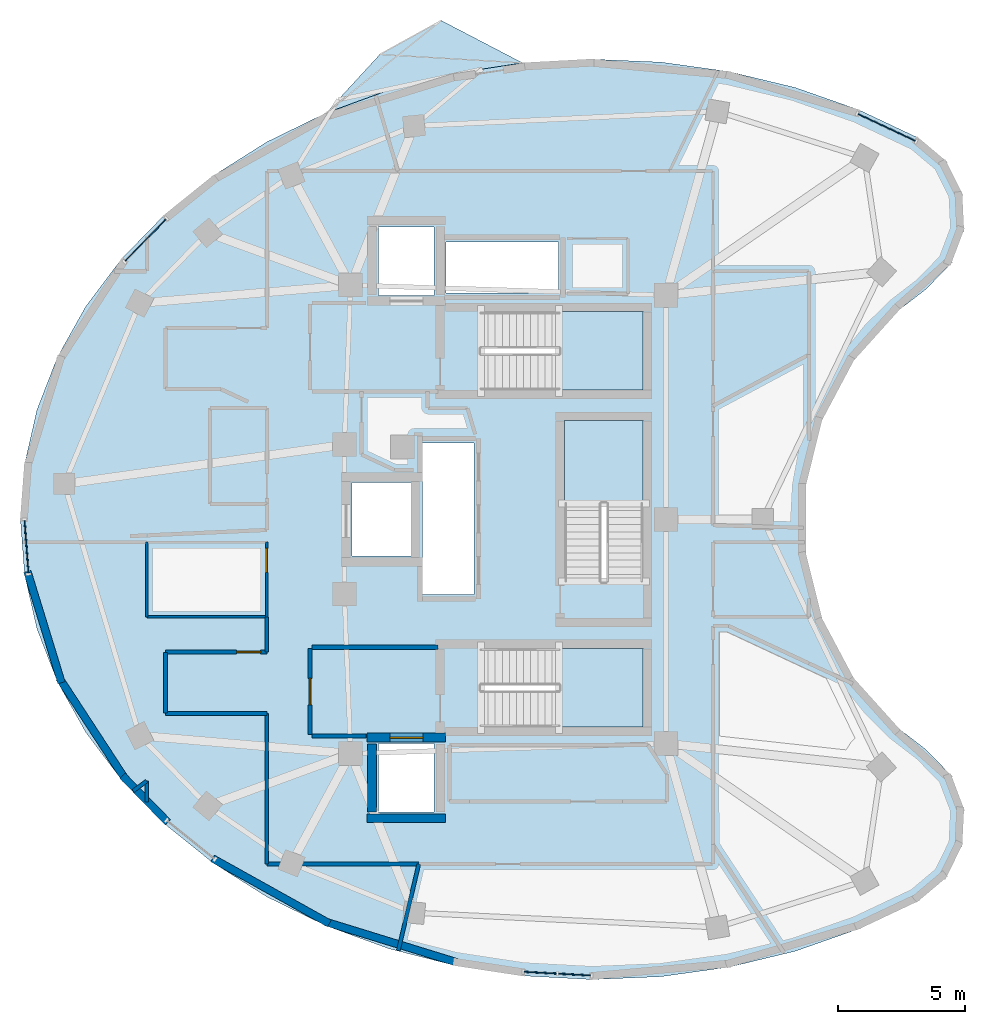
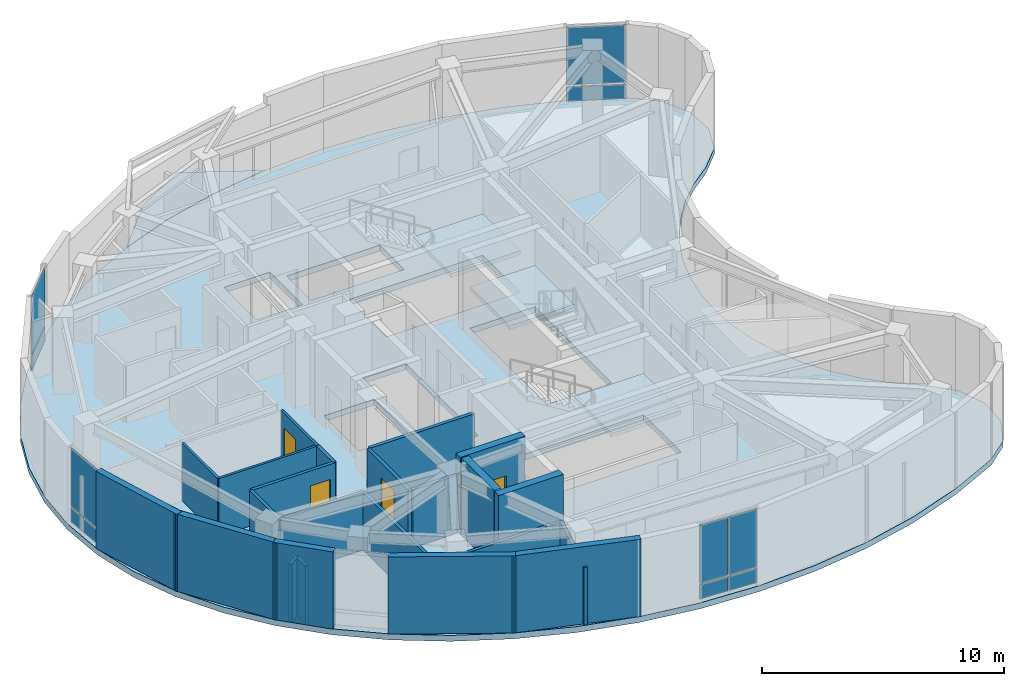
# One storey, part 3 of 8: 23 walls, 10 plates, 5 slabs, 4 doors, 4 openings, 7 elements without a shape of their own.
"""IFC4 building model written with IfcOpenShell, lengths in metres."""

from ifc_helpers import new_model, si_unit, direction, frame, frame_2d, origin, origin_2d, place, context, subcontext, project, spatial, polyline, rectangle, outline, extrude, material, layer, layer_set, type_object, element, fill, aggregate, save


model = new_model("IFC4")

# Units and contexts
model_context = context("Model", 3, precision=1e-05, world=origin(), true_north=direction((0.0, 1.0)))
body_context = subcontext(model_context, "Body", "Model", "MODEL_VIEW")
ifc_project = project(units=[si_unit("LENGTHUNIT", "METRE"), si_unit("AREAUNIT", "SQUARE_METRE"), si_unit("VOLUMEUNIT", "CUBIC_METRE"), si_unit("PLANEANGLEUNIT", "RADIAN"), si_unit("MASSUNIT", "GRAM", prefix="KILO")], contexts=[model_context])

# Site, building, storey
site_placement = place(None, origin())
site = spatial("IfcSite", under=ifc_project, at=site_placement, CompositionType="ELEMENT")
building_placement = place(site_placement, origin())
building = spatial("IfcBuilding", under=site, at=building_placement, Name="Korentha Bioscience Tower", CompositionType="ELEMENT")
storey_placement = place(building_placement, frame((0.0, 0.0, 310.199951171875)))
storey = spatial("IfcBuildingStorey", under=building, at=storey_placement, Name="L71", CompositionType="ELEMENT", Elevation=310.199951171875)

# Curtain wall, plates
ifc_material_1 = material(Name="Thermally Broken Aluminium Frame", Category="aluminium")
ifc_layer_1 = layer(ifc_material_1, 0.219970703125, Name="Thermally Broken Aluminium Frame")
ifc_layer_set_1 = layer_set([ifc_layer_1], Name="Thermally Broken Aluminium Frame (CW-T1)")
curtain_wall_type = type_object("IfcCurtainWallType", Name="Standard Bioscience Lab Unitised Curtain Wall CW-T1", PredefinedType="USERDEFINED", material=ifc_layer_set_1)
curtain_wall_1_placement = place(storey_placement, origin())
curtain_wall_1 = element("IfcCurtainWall", 1, at=curtain_wall_1_placement, inside=storey, type_object=curtain_wall_type, Name="L71 Curtain Wall 01", ObjectType="UNITISED", PredefinedType="USERDEFINED")
ifc_material_2 = material(Name="Triple-Glazed Low-E Insulated Glass", Category="glass")
ifc_layer_2 = layer(ifc_material_2, 0.0439453125, Name="Triple-Glazed Low-E Insulated Glass")
ifc_layer_set_2 = layer_set([ifc_layer_2], Name="Triple-Glazed Low-E Insulated Glass (GL-44)")
plate_type = type_object("IfcPlateType", Name="Glazed Panel 44mm", PredefinedType="CURTAIN_PANEL", material=ifc_layer_set_2)
plate_1_placement = place(storey_placement, frame((46.267578125, 42.4755859375, 0.08984375), z_axis=(0.0, 0.0, 1.0), x_axis=(-0.904397382054, 0.426691194347, 0.0)))
plate_1 = element("IfcPlate", 2, at=plate_1_placement, type_object=plate_type, Name="CW-L71-01 Bay 1 Glazed Panel 1", PredefinedType="CURTAIN_PANEL", context=body_context, shape_type="SweptSolid", body=[
    extrude(rectangle(XDim=2.501708984375, YDim=0.0439453125, at=origin_2d()), origin(), (0.0, 0.0, 1.0), 0.715087890625),
])
plate_2_placement = place(storey_placement, frame((46.267578125, 42.4755859375, 0.89501953125), z_axis=(0.0, 0.0, 1.0), x_axis=(-0.904397382054, 0.426691194347, 0.0)))
plate_2 = element("IfcPlate", 3, at=plate_2_placement, type_object=plate_type, Name="CW-L71-01 Bay 1 Glazed Panel 2", PredefinedType="CURTAIN_PANEL", context=body_context, shape_type="SweptSolid", body=[
    extrude(rectangle(XDim=2.501708984375, YDim=0.0439453125, at=origin_2d()), origin(), (0.0, 0.0, 1.0), 2.9150390625),
])
aggregate(curtain_wall_1, [plate_1, plate_2])

curtain_wall_2_placement = place(storey_placement, origin())
curtain_wall_2 = element("IfcCurtainWall", 4, at=curtain_wall_2_placement, inside=storey, type_object=curtain_wall_type, Name="L71 Curtain Wall 13", ObjectType="UNITISED", PredefinedType="USERDEFINED")
plate_3_placement = place(storey_placement, frame((17.0009765625, 38.0283203125, 0.08984375), z_axis=(0.0, 0.0, 1.0), x_axis=(-0.697567217128, -0.716519349067, 0.0)))
plate_3 = element("IfcPlate", 5, at=plate_3_placement, type_object=plate_type, Name="CW-L71-13 Bay 1 Glazed Panel 1", PredefinedType="CURTAIN_PANEL", context=body_context, shape_type="SweptSolid", body=[
    extrude(rectangle(XDim=2.30517578125, YDim=0.0439453125, at=origin_2d()), origin(), (0.0, 0.0, 1.0), 0.715087890625),
])
plate_4_placement = place(storey_placement, frame((17.0009765625, 38.0283203125, 0.89501953125), z_axis=(0.0, 0.0, 1.0), x_axis=(-0.697567217128, -0.716519349067, 0.0)))
plate_4 = element("IfcPlate", 6, at=plate_4_placement, type_object=plate_type, Name="CW-L71-13 Bay 1 Glazed Panel 2", PredefinedType="CURTAIN_PANEL", context=body_context, shape_type="SweptSolid", body=[
    extrude(rectangle(XDim=2.30517578125, YDim=0.0439453125, at=origin_2d()), origin(), (0.0, 0.0, 1.0), 2.9150390625),
])
aggregate(curtain_wall_2, [plate_3, plate_4])

curtain_wall_3_placement = place(storey_placement, origin())
curtain_wall_3 = element("IfcCurtainWall", 7, at=curtain_wall_3_placement, inside=storey, type_object=curtain_wall_type, Name="L71 Curtain Wall 19", ObjectType="UNITISED", PredefinedType="USERDEFINED")
plate_5_placement = place(storey_placement, frame((12.302490234375, 25.922119140625, 0.08984375), z_axis=(0.0, 0.0, 1.0), x_axis=(0.075073021346, -0.997178039001, 0.0)))
plate_5 = element("IfcPlate", 8, at=plate_5_placement, type_object=plate_type, Name="CW-L71-19 Bay 1 Glazed Panel 1", PredefinedType="CURTAIN_PANEL", context=body_context, shape_type="SweptSolid", body=[
    extrude(rectangle(XDim=2.085693359375, YDim=0.0439453125, at=origin_2d()), origin(), (0.0, 0.0, 1.0), 0.715087890625),
])
plate_6_placement = place(storey_placement, frame((12.302490234375, 25.922119140625, 0.89501953125), z_axis=(0.0, 0.0, 1.0), x_axis=(0.075073021346, -0.997178039001, 0.0)))
plate_6 = element("IfcPlate", 9, at=plate_6_placement, type_object=plate_type, Name="CW-L71-19 Bay 1 Glazed Panel 2", PredefinedType="CURTAIN_PANEL", context=body_context, shape_type="SweptSolid", body=[
    extrude(rectangle(XDim=2.085693359375, YDim=0.0439453125, at=origin_2d()), origin(), (0.0, 0.0, 1.0), 2.9150390625),
])
aggregate(curtain_wall_3, [plate_5, plate_6])

curtain_wall_4_placement = place(storey_placement, origin())
curtain_wall_4 = element("IfcCurtainWall", 10, at=curtain_wall_4_placement, inside=storey, type_object=curtain_wall_type, Name="L71 Curtain Wall 31", ObjectType="UNITISED", PredefinedType="USERDEFINED")
plate_7_placement = place(storey_placement, frame((32.58837890625, 9.099365234375, 0.08984375), z_axis=(0.0, 0.0, 1.0), x_axis=(0.998526001182, -0.054275454513, 0.0)))
plate_7 = element("IfcPlate", 11, at=plate_7_placement, type_object=plate_type, Name="CW-L71-31 Bay 1 Glazed Panel 1", PredefinedType="CURTAIN_PANEL", context=body_context, shape_type="SweptSolid", body=[
    extrude(rectangle(XDim=1.27001953125, YDim=0.0439453125, at=origin_2d()), origin(), (0.0, 0.0, 1.0), 0.715087890625),
])
plate_8_placement = place(storey_placement, frame((32.58837890625, 9.099365234375, 0.89501953125), z_axis=(0.0, 0.0, 1.0), x_axis=(0.998526001182, -0.054275454513, 0.0)))
plate_8 = element("IfcPlate", 12, at=plate_8_placement, type_object=plate_type, Name="CW-L71-31 Bay 1 Glazed Panel 2", PredefinedType="CURTAIN_PANEL", context=body_context, shape_type="SweptSolid", body=[
    extrude(rectangle(XDim=1.27001953125, YDim=0.0439453125, at=origin_2d()), origin(), (0.0, 0.0, 1.0), 2.9150390625),
])
plate_9_placement = place(storey_placement, frame((33.9462890625, 9.025390625, 0.08984375), z_axis=(0.0, 0.0, 1.0), x_axis=(0.998526001182, -0.054275454513, 0.0)))
plate_9 = element("IfcPlate", 13, at=plate_9_placement, type_object=plate_type, Name="CW-L71-31 Bay 2 Glazed Panel 1", PredefinedType="CURTAIN_PANEL", context=body_context, shape_type="SweptSolid", body=[
    extrude(rectangle(XDim=1.27001953125, YDim=0.0439453125, at=origin_2d()), origin(), (0.0, 0.0, 1.0), 0.715087890625),
])
plate_10_placement = place(storey_placement, frame((33.9462890625, 9.025390625, 0.89501953125), z_axis=(0.0, 0.0, 1.0), x_axis=(0.998526001182, -0.054275454513, 0.0)))
plate_10 = element("IfcPlate", 14, at=plate_10_placement, type_object=plate_type, Name="CW-L71-31 Bay 2 Glazed Panel 2", PredefinedType="CURTAIN_PANEL", context=body_context, shape_type="SweptSolid", body=[
    extrude(rectangle(XDim=1.27001953125, YDim=0.0439453125, at=origin_2d()), origin(), (0.0, 0.0, 1.0), 2.9150390625),
])
aggregate(curtain_wall_4, [plate_7, plate_8, plate_9, plate_10])

# Slab
ifc_material_3 = material(Name="Concrete C50", Category="concrete")
ifc_layer_3 = layer(ifc_material_3, 0.300048828125, Name="Concrete C50")
ifc_layer_set_3 = layer_set([ifc_layer_3], Name="Concrete C50 (SL-L300)")
slab_type_1 = type_object("IfcSlabType", Name="Laboratory Vibration-Controlled Slab 300", PredefinedType="FLOOR", material=ifc_layer_set_3)
slab_1_placement = place(storey_placement, frame((0.0, 0.0, -0.300048828125)))
element("IfcSlab", 15, at=slab_1_placement, inside=storey, type_object=slab_type_1, Name="L71 Tower Structural Floor Slab", PredefinedType="FLOOR", context=body_context, shape_type="SweptSolid", body=[
    extrude(outline(polyline([(47.512451171875, 42.065185546875), (45.15966796875, 43.17529296875), (42.6572265625, 44.052001953125), (40.04150390625, 44.68212890625), (37.35009765625, 45.05712890625), (34.62158203125, 45.17138671875), (31.895751953125, 45.0234375), (29.2119140625, 44.614990234375), (26.608642578125, 43.952392578125), (24.12353515625, 43.044921875), (21.792724609375, 41.90576171875), (19.649658203125, 40.551513671875), (17.72509765625, 39.00146484375), (16.04736328125, 37.2783203125), (14.64013671875, 35.406494140625), (13.524169921875, 33.41357421875), (12.715087890625, 31.327880859375), (12.22509765625, 29.1796875), (12.06103515625, 27.0), (12.22509765625, 24.8203125), (12.715087890625, 22.672119140625), (13.524169921875, 20.58642578125), (14.64013671875, 18.593505859375), (16.04736328125, 16.7216796875), (17.72509765625, 14.99853515625), (19.649658203125, 13.448486328125), (21.792724609375, 12.09423828125), (24.12353515625, 10.955078125), (26.608642578125, 10.047607421875), (29.2119140625, 9.385009765625), (31.895751953125, 8.9765625), (34.62158203125, 8.82861328125), (37.35009765625, 8.94287109375), (40.04150390625, 9.31787109375), (42.6572265625, 9.947998046875), (45.15966796875, 10.82470703125), (47.512451171875, 11.934814453125), (48.60546875, 12.85498046875), (49.240234375, 14.135498046875), (49.310791015625, 15.5625), (48.805908203125, 16.8994140625), (47.80908203125, 17.923095703125), (46.74853515625, 18.737060546875), (45.794921875, 19.673828125), (44.962890625, 20.72021484375), (44.264404296875, 21.85986328125), (43.7099609375, 23.076416015625), (43.30810546875, 24.351318359375), (43.064453125, 25.665771484375), (42.98291015625, 27.0), (43.064453125, 28.334228515625), (43.30810546875, 29.648681640625), (43.7099609375, 30.923583984375), (44.264404296875, 32.14013671875), (44.962890625, 33.27978515625), (45.794921875, 34.326171875), (46.74853515625, 35.262939453125), (47.80908203125, 36.076904296875), (48.805908203125, 37.1005859375), (49.310791015625, 38.4375), (49.240234375, 39.864501953125), (48.60546875, 41.14501953125), (47.512451171875, 42.065185546875)]), holes=[polyline([(30.25, 32.10009765625), (36.64990234375, 32.10009765625), (36.64990234375, 35.199951171875), (30.25, 35.199951171875), (30.25, 32.10009765625)]), polyline([(30.25, 18.800048828125), (36.64990234375, 18.800048828125), (36.64990234375, 21.89990234375), (30.25, 21.89990234375), (30.25, 18.800048828125)]), polyline([(36.64990234375, 24.550048828125), (36.64990234375, 30.89990234375), (33.550048828125, 30.89990234375), (33.550048828125, 24.550048828125), (36.64990234375, 24.550048828125)]), polyline([(27.929931640625, 24.030029296875), (29.969970703125, 24.030029296875), (29.969970703125, 30.02001953125), (27.929931640625, 30.02001953125), (27.929931640625, 24.030029296875)]), polyline([(28.860107421875, 35.93994140625), (33.31005859375, 35.93994140625), (33.31005859375, 37.9599609375), (28.860107421875, 37.9599609375), (28.860107421875, 35.93994140625)]), polyline([(26.199951171875, 15.449951171875), (28.39990234375, 15.449951171875), (28.39990234375, 18.14990234375), (26.199951171875, 18.14990234375), (26.199951171875, 15.449951171875)]), polyline([(26.199951171875, 35.85009765625), (28.39990234375, 35.85009765625), (28.39990234375, 38.550048828125), (26.199951171875, 38.550048828125), (26.199951171875, 35.85009765625)]), polyline([(25.14990234375, 25.550048828125), (27.550048828125, 25.550048828125), (27.550048828125, 28.449951171875), (25.14990234375, 28.449951171875), (25.14990234375, 25.550048828125)])]), origin(), (0.0, 0.0, 1.0), 0.300048828125),
])

# Stair, slab
ifc_material_4 = material(Name="Precast Concrete C50", Category="concrete")
stair_type = type_object("IfcStairType", Name="Core Exit Dog-Leg Stair 1450", PredefinedType="HALF_TURN_STAIR", material=ifc_material_4)
stair_1_placement = place(storey_placement, origin())
stair_1 = element("IfcStair", 16, at=stair_1_placement, inside=storey, type_object=stair_type, Name="L71 Tower North Pressurized Exit Stair ST-1", PredefinedType="HALF_TURN_STAIR")
ifc_layer_4 = layer(ifc_material_3, 0.199951171875, Name="Concrete C50")
ifc_layer_set_4 = layer_set([ifc_layer_4], Name="Concrete C50 (SL-LND)")
slab_type_2 = type_object("IfcSlabType", Name="Landing Slab 200", PredefinedType="LANDING", material=ifc_layer_set_4)
slab_2_placement = place(storey_placement, frame((0.0, 0.0, 1.900146484375)))
slab_2 = element("IfcSlab", 17, at=slab_2_placement, type_object=slab_type_2, Name="ST-1 landing 1", PredefinedType="LANDING", context=body_context, shape_type="SweptSolid", body=[
    extrude(outline(polyline([(33.330078125, 32.10009765625), (36.64990234375, 32.10009765625), (36.64990234375, 35.199951171875), (33.330078125, 35.199951171875), (33.330078125, 32.10009765625)])), origin(), (0.0, 0.0, 1.0), 0.199951171875),
])
aggregate(stair_1, [slab_2])

stair_2_placement = place(storey_placement, origin())
stair_2 = element("IfcStair", 18, at=stair_2_placement, inside=storey, type_object=stair_type, Name="L71 Tower South Pressurized Exit Stair ST-2", PredefinedType="HALF_TURN_STAIR")
slab_3_placement = place(storey_placement, frame((0.0, 0.0, 1.900146484375)))
slab_3 = element("IfcSlab", 19, at=slab_3_placement, type_object=slab_type_2, Name="ST-2 landing 1", PredefinedType="LANDING", context=body_context, shape_type="SweptSolid", body=[
    extrude(outline(polyline([(33.330078125, 18.800048828125), (36.64990234375, 18.800048828125), (36.64990234375, 21.89990234375), (33.330078125, 21.89990234375), (33.330078125, 18.800048828125)])), origin(), (0.0, 0.0, 1.0), 0.199951171875),
])
aggregate(stair_2, [slab_3])

stair_3_placement = place(storey_placement, origin())
stair_3 = element("IfcStair", 20, at=stair_3_placement, inside=storey, type_object=stair_type, Name="L71 Tower Central Pressurized Exit Stair ST-3", PredefinedType="HALF_TURN_STAIR")
slab_4_placement = place(storey_placement, frame((0.0, 0.0, 1.900146484375)))
slab_4 = element("IfcSlab", 21, at=slab_4_placement, type_object=slab_type_2, Name="ST-3 landing 1", PredefinedType="LANDING", context=body_context, shape_type="SweptSolid", body=[
    extrude(outline(polyline([(36.64990234375, 27.6298828125), (36.64990234375, 30.89990234375), (33.550048828125, 30.89990234375), (33.550048828125, 27.6298828125), (36.64990234375, 27.6298828125)])), origin(), (0.0, 0.0, 1.0), 0.199951171875),
])
aggregate(stair_3, [slab_4])

# Slab
ifc_layer_5 = layer(ifc_material_3, 0.300048828125, Name="Concrete C50")
ifc_layer_set_5 = layer_set([ifc_layer_5], Name="Concrete C50 (BS-240)")
slab_type_3 = type_object("IfcSlabType", Name="Sawtooth Sun-Ledge Balcony Slab 240", PredefinedType="USERDEFINED", material=ifc_layer_set_5)
slab_5_placement = place(storey_placement, frame((0.0, 0.0, -0.300048828125)))
element("IfcSlab", 22, at=slab_5_placement, inside=storey, type_object=slab_type_3, Name="L71 Sun-Ledge Balcony 01", ObjectType="BALCONY", PredefinedType="USERDEFINED", context=body_context, shape_type="SweptSolid", body=[
    extrude(outline(polyline([(24.12353515625, 43.044921875), (26.608642578125, 43.952392578125), (29.2119140625, 44.614990234375), (31.895751953125, 45.0234375), (28.681396484375, 46.698486328125), (26.2509765625, 45.357666015625), (24.12353515625, 43.044921875)])), origin(), (0.0, 0.0, 1.0), 0.300048828125),
])

# Wall, opening, door
ifc_material_5 = material(Name="Double-Stud Acoustic Gypsum", Category="gypsum")
ifc_layer_6 = layer(ifc_material_5, 0.14990234375, Name="Double-Stud Acoustic Gypsum")
ifc_layer_set_6 = layer_set([ifc_layer_6], Name="Double-Stud Acoustic Gypsum (IW-L150)")
wall_type_1 = type_object("IfcWallType", Name="Acoustic Laboratory Partition Wall 150", PredefinedType="PARTITIONING", material=ifc_layer_set_6)
wall_1_placement = place(storey_placement, frame((21.7900390625, 21.760009765625, 0.0), z_axis=(0.0, 0.0, 1.0), x_axis=(-1.0, 0.0, 0.0)))
wall_1 = element("IfcWall", 23, at=wall_1_placement, inside=storey, type_object=wall_type_1, Name="L71 Staff Pantry Kitchenette 02 Entrance Wall", PredefinedType="PARTITIONING", context=body_context, shape_type="SweptSolid", body=[
    extrude(rectangle(XDim=3.989990234375, YDim=0.14990234375, at=frame_2d((1.9951171875, 0.0))), origin(), (0.0, 0.0, 1.0), 2.91015625),
])
opening_1_placement = place(wall_1_placement, frame((0.239990234375, 0.0, 0.0)))
opening_1 = element("IfcOpeningElement", 24, at=opening_1_placement, cuts=wall_1, Name="Opening ID-10L", PredefinedType="OPENING", context=body_context, shape_type="SweptSolid", body=[
    extrude(rectangle(XDim=0.949951171875, YDim=2.14990234375, at=frame_2d((0.47509765625, 1.074951171875))), frame((0.0, 0.08984375, 0.0), z_axis=(0.0, -1.0, 0.0), x_axis=(1.0, 0.0, 0.0)), (0.0, 0.0, 1.0), 0.1796875),
])
ifc_material_6 = material(Name="Phenolic Laminate Timber Core", Category="wood")
door_type_1 = type_object("IfcDoorType", Name="Laboratory Single Leaf Door 950x2150 Left", OperationType="SINGLE_SWING_LEFT", PredefinedType="DOOR", material=ifc_material_6)
door_1_placement = place(opening_1_placement, origin())
door_1 = element("IfcDoor", 25, at=door_1_placement, inside=storey, type_object=door_type_1, Name="L71 Staff Pantry Kitchenette 02 Door", OperationType="SINGLE_SWING_LEFT", OverallHeight=2.14990234375, OverallWidth=0.949951171875, PredefinedType="DOOR", context=body_context, shape_type="SweptSolid", body=[
    extrude(rectangle(XDim=0.949951171875, YDim=2.14990234375, at=frame_2d((0.47509765625, 1.074951171875))), frame((0.0, 0.02490234375, 0.0), z_axis=(0.0, -1.0, 0.0), x_axis=(1.0, 0.0, 0.0)), (0.0, 0.0, 1.0), 0.050048828125),
])
fill(opening_1, door_1)

# Walls
wall_2_placement = place(storey_placement, frame((21.7900390625, 23.14208984375, 0.0), z_axis=(0.0, 0.0, 1.0), x_axis=(0.0, -1.0, 0.0)))
element("IfcWall", 26, at=wall_2_placement, inside=storey, type_object=wall_type_1, Name="L71 Interior Partition 024", PredefinedType="PARTITIONING", context=body_context, shape_type="SweptSolid", body=[
    extrude(rectangle(XDim=1.382080078125, YDim=0.14990234375, at=frame_2d((0.69091796875, 0.0))), origin(), (0.0, 0.0, 1.0), 2.91015625),
])
wall_3_placement = place(storey_placement, frame((17.7900390625, 21.75, 0.0), z_axis=(0.0, 0.0, 1.0), x_axis=(0.0, -1.0, 0.0)))
element("IfcWall", 27, at=wall_3_placement, inside=storey, type_object=wall_type_1, Name="L71 Interior Partition 025", PredefinedType="PARTITIONING", context=body_context, shape_type="SweptSolid", body=[
    extrude(rectangle(XDim=2.39990234375, YDim=0.14990234375, at=frame_2d((1.199951171875, 0.0))), origin(), (0.0, 0.0, 1.0), 2.91015625),
])
wall_4_placement = place(storey_placement, frame((17.800048828125, 19.340087890625, 0.0), z_axis=(0.0, 0.0, 1.0), x_axis=(1.0, 0.0, 0.0)))
element("IfcWall", 28, at=wall_4_placement, inside=storey, type_object=wall_type_1, Name="L71 Interior Partition 026", PredefinedType="PARTITIONING", context=body_context, shape_type="SweptSolid", body=[
    extrude(rectangle(XDim=3.989990234375, YDim=0.14990234375, at=frame_2d((1.9951171875, 0.0))), origin(), (0.0, 0.0, 1.0), 2.91015625),
])
wall_5_placement = place(storey_placement, frame((21.7900390625, 19.340087890625, 0.0), z_axis=(0.0, 0.0, 1.0), x_axis=(0.0, -1.0, 0.0)))
element("IfcWall", 29, at=wall_5_placement, inside=storey, type_object=wall_type_1, Name="L71 Interior Partition 027", PredefinedType="PARTITIONING", context=body_context, shape_type="SweptSolid", body=[
    extrude(rectangle(XDim=5.940185546875, YDim=0.14990234375, at=frame_2d((2.97021484375, 0.0))), origin(), (0.0, 0.0, 1.0), 2.91015625),
])
wall_6_placement = place(storey_placement, frame((21.800048828125, 13.389892578125, 0.0), z_axis=(0.0, 0.0, 1.0), x_axis=(1.0, 0.0, 0.0)))
element("IfcWall", 30, at=wall_6_placement, inside=storey, type_object=wall_type_1, Name="L71 Interior Partition 028", PredefinedType="PARTITIONING", context=body_context, shape_type="SweptSolid", body=[
    extrude(rectangle(XDim=5.991455078125, YDim=0.14990234375, at=frame_2d((2.99560546875, 0.0))), origin(), (0.0, 0.0, 1.0), 2.91015625),
])
wall_7_placement = place(storey_placement, frame((27.79150390625, 13.389892578125, 0.0), z_axis=(0.0, 0.0, 1.0), x_axis=(-0.230015875141, -0.973186876804, 0.0)))
element("IfcWall", 31, at=wall_7_placement, inside=storey, type_object=wall_type_1, Name="L71 Interior Partition 029", PredefinedType="PARTITIONING", context=body_context, shape_type="SweptSolid", body=[
    extrude(rectangle(XDim=3.51123046875, YDim=0.14990234375, at=frame_2d((1.755615234375, 0.0))), origin(), (0.0, 0.0, 1.0), 2.91015625),
])
wall_8_placement = place(storey_placement, frame((17.052001953125, 15.835693359375, 0.0), z_axis=(0.0, 0.0, 1.0), x_axis=(0.0, 1.0, 0.0)))
element("IfcWall", 32, at=wall_8_placement, inside=storey, type_object=wall_type_1, Name="L71 Interior Partition 030", PredefinedType="PARTITIONING", context=body_context, shape_type="SweptSolid", body=[
    extrude(rectangle(XDim=0.829833984375, YDim=0.14990234375, at=frame_2d((0.4150390625, 0.0))), origin(), (0.0, 0.0, 1.0), 2.91015625),
])
wall_9_placement = place(storey_placement, frame((17.045654296875, 16.668701171875, 0.0), z_axis=(0.0, 0.0, 1.0), x_axis=(-0.803923041639, -0.594733337826, 0.0)))
element("IfcWall", 33, at=wall_9_placement, inside=storey, type_object=wall_type_1, Name="L71 Interior Partition 031", PredefinedType="PARTITIONING", context=body_context, shape_type="SweptSolid", body=[
    extrude(rectangle(XDim=0.66162109375, YDim=0.14990234375, at=frame_2d((0.330810546875, 0.0))), origin(), (0.0, 0.0, 1.0), 2.91015625),
])

# Wall, opening, door
ifc_material_7 = material(Name="Fire-Rated Framed Glass", Category="glass")
ifc_layer_7 = layer(ifc_material_7, 0.110107421875, Name="Fire-Rated Framed Glass")
ifc_layer_set_7 = layer_set([ifc_layer_7], Name="Fire-Rated Framed Glass (IW-G110)")
wall_type_2 = type_object("IfcWallType", Name="Demountable Glazed Office Partition 110", PredefinedType="MOVABLE", material=ifc_layer_set_7)
wall_10_placement = place(storey_placement, frame((21.7900390625, 26.097900390625, 0.0), z_axis=(0.0, 0.0, 1.0), x_axis=(0.0, -1.0, 0.0)))
wall_10 = element("IfcWall", 34, at=wall_10_placement, inside=storey, type_object=wall_type_2, Name="L71 Research Colloquium Seminar Room 01 Entrance Wall", PredefinedType="MOVABLE", context=body_context, shape_type="SweptSolid", body=[
    extrude(rectangle(XDim=2.94580078125, YDim=0.110107421875, at=frame_2d((1.472900390625, 0.0))), origin(), (0.0, 0.0, 1.0), 2.91015625),
])
opening_2_placement = place(wall_10_placement, frame((0.239990234375, 0.0, 0.0)))
opening_2 = element("IfcOpeningElement", 35, at=opening_2_placement, cuts=wall_10, Name="Opening ID-10R", PredefinedType="OPENING", context=body_context, shape_type="SweptSolid", body=[
    extrude(rectangle(XDim=0.949951171875, YDim=2.14990234375, at=frame_2d((0.47509765625, 1.074951171875))), frame((0.0, 0.06982421875, 0.0), z_axis=(0.0, -1.0, 0.0), x_axis=(1.0, 0.0, 0.0)), (0.0, 0.0, 1.0), 0.139892578125),
])
door_type_2 = type_object("IfcDoorType", Name="Laboratory Single Leaf Door 950x2150 Right", OperationType="SINGLE_SWING_RIGHT", PredefinedType="DOOR", material=ifc_material_6)
door_2_placement = place(opening_2_placement, origin())
door_2 = element("IfcDoor", 36, at=door_2_placement, inside=storey, type_object=door_type_2, Name="L71 Research Colloquium Seminar Room 01 Door", OperationType="SINGLE_SWING_RIGHT", OverallHeight=2.14990234375, OverallWidth=0.949951171875, PredefinedType="DOOR", context=body_context, shape_type="SweptSolid", body=[
    extrude(rectangle(XDim=0.949951171875, YDim=2.14990234375, at=frame_2d((0.47509765625, 1.074951171875))), frame((0.0, 0.02490234375, 0.0), z_axis=(0.0, -1.0, 0.0), x_axis=(1.0, 0.0, 0.0)), (0.0, 0.0, 1.0), 0.050048828125),
])
fill(opening_2, door_2)

# Walls
wall_11_placement = place(storey_placement, frame((17.052001953125, 23.152099609375, 0.0), z_axis=(0.0, 0.0, 1.0), x_axis=(0.0, 1.0, 0.0)))
element("IfcWall", 37, at=wall_11_placement, inside=storey, type_object=wall_type_2, Name="L71 Interior Partition 020", PredefinedType="MOVABLE", context=body_context, shape_type="SweptSolid", body=[
    extrude(rectangle(XDim=2.94580078125, YDim=0.110107421875, at=frame_2d((1.472900390625, 0.0))), origin(), (0.0, 0.0, 1.0), 2.91015625),
])
wall_12_placement = place(storey_placement, frame((21.7900390625, 23.152099609375, 0.0), z_axis=(0.0, 0.0, 1.0), x_axis=(-1.0, 0.0, 0.0)))
element("IfcWall", 38, at=wall_12_placement, inside=storey, type_object=wall_type_2, Name="L71 Interior Partition 022", PredefinedType="MOVABLE", context=body_context, shape_type="SweptSolid", body=[
    extrude(rectangle(XDim=4.738037109375, YDim=0.110107421875, at=frame_2d((2.369140625, 0.0))), origin(), (0.0, 0.0, 1.0), 2.91015625),
])

# Wall, opening, door
ifc_material_8 = material(Name="Gypsum-Clad Steel Stud", Category="steel")
ifc_layer_8 = layer(ifc_material_8, 0.159912109375, Name="Gypsum-Clad Steel Stud")
ifc_layer_set_8 = layer_set([ifc_layer_8], Name="Gypsum-Clad Steel Stud (IW-C160)")
wall_type_3 = type_object("IfcWallType", Name="Fire-Rated Corridor Partition Wall 160", PredefinedType="PARTITIONING", material=ifc_layer_set_8)
wall_13_placement = place(storey_placement, frame((23.5, 18.5, 0.0), z_axis=(0.0, 0.0, 1.0), x_axis=(0.0, 1.0, 0.0)))
wall_13 = element("IfcWall", 39, at=wall_13_placement, inside=storey, type_object=wall_type_3, Name="L71 FFLS-CW Rated Enclosure Wall", PredefinedType="PARTITIONING", context=body_context, shape_type="SweptSolid", body=[
    extrude(rectangle(XDim=3.39990234375, YDim=0.159912109375, at=frame_2d((1.699951171875, 0.0))), origin(), (0.0, 0.0, 1.0), 2.91015625),
])
opening_3_placement = place(wall_13_placement, frame((1.175048828125, 0.0, 0.0)))
opening_3 = element("IfcOpeningElement", 40, at=opening_3_placement, cuts=wall_13, Name="Opening FD-90R", PredefinedType="OPENING", context=body_context, shape_type="SweptSolid", body=[
    extrude(rectangle(XDim=1.050048828125, YDim=2.14990234375, at=frame_2d((0.52490234375, 1.074951171875))), frame((0.0, 0.0947265625, 0.0), z_axis=(0.0, -1.0, 0.0), x_axis=(1.0, 0.0, 0.0)), (0.0, 0.0, 1.0), 0.189697265625),
])
ifc_material_9 = material(Name="Powder-Coated Fire-Rated Steel", Category="steel")
door_type_3 = type_object("IfcDoorType", Name="Stairwell Fire Exit Door 1050x2150 Right", OperationType="SINGLE_SWING_RIGHT", PredefinedType="DOOR", material=ifc_material_9)
door_3_placement = place(opening_3_placement, origin())
door_3 = element("IfcDoor", 41, at=door_3_placement, inside=storey, type_object=door_type_3, Name="L71 South Firefighting Lobby Door", OperationType="SINGLE_SWING_RIGHT", OverallHeight=2.14990234375, OverallWidth=1.050048828125, PredefinedType="DOOR", context=body_context, shape_type="SweptSolid", body=[
    extrude(rectangle(XDim=1.050048828125, YDim=2.14990234375, at=frame_2d((0.52490234375, 1.074951171875))), frame((0.0, 0.02490234375, 0.0), z_axis=(0.0, -1.0, 0.0), x_axis=(1.0, 0.0, 0.0)), (0.0, 0.0, 1.0), 0.050048828125),
])
fill(opening_3, door_3)

# Walls
wall_14_placement = place(storey_placement, frame((23.580078125, 21.949951171875, 0.0), z_axis=(0.0, 0.0, 1.0), x_axis=(1.0, 0.0, 0.0)))
element("IfcWall", 42, at=wall_14_placement, inside=storey, type_object=wall_type_3, Name="L71 Firefighting Lobby Return Wall FFLS-N", PredefinedType="PARTITIONING", context=body_context, shape_type="SweptSolid", body=[
    extrude(rectangle(XDim=4.969970703125, YDim=0.159912109375, at=frame_2d((2.48486328125, 0.0))), origin(), (0.0, 0.0, 1.0), 2.91015625),
])
wall_15_placement = place(storey_placement, frame((23.580078125, 18.449951171875, 0.0), z_axis=(0.0, 0.0, 1.0), x_axis=(1.0, 0.0, 0.0)))
element("IfcWall", 43, at=wall_15_placement, inside=storey, type_object=wall_type_3, Name="L71 Firefighting Lobby Return Wall FFLS-S", PredefinedType="PARTITIONING", context=body_context, shape_type="SweptSolid", body=[
    extrude(rectangle(XDim=2.119873046875, YDim=0.159912109375, at=frame_2d((1.06005859375, 0.0))), origin(), (0.0, 0.0, 1.0), 2.91015625),
])
ifc_material_10 = material(Name="Honed Limestone Precast Concrete C40", Category="masonry")
ifc_layer_9 = layer(ifc_material_10, 0.300048828125, Name="Honed Limestone Precast Concrete C40")
ifc_layer_set_9 = layer_set([ifc_layer_9], Name="Honed Limestone Precast Concrete C40 (EW-ST300)")
wall_type_4 = type_object("IfcWallType", Name="Honed Limestone Cavity Spandrel Wall 300", PredefinedType="STANDARD", material=ifc_layer_set_9)
wall_16_placement = place(storey_placement, frame((12.33544921875, 24.93798828125, 0.0), z_axis=(0.0, 0.0, 1.0), x_axis=(0.293311854667, -0.956016817797, 0.0)))
element("IfcWall", 44, at=wall_16_placement, inside=storey, type_object=wall_type_4, Name="L71 Limestone Perimeter Closure Wall 20", PredefinedType="STANDARD", context=body_context, shape_type="SweptSolid", body=[
    extrude(rectangle(XDim=4.5888671875, YDim=0.300048828125, at=frame_2d((2.29443359375, 0.0))), origin(), (0.0, 0.0, 1.0), 3.900146484375),
])
wall_17_placement = place(storey_placement, frame((13.59765625, 20.72998046875, 0.0), z_axis=(0.0, 0.0, 1.0), x_axis=(0.546723072071, -0.837313491152, 0.0)))
element("IfcWall", 45, at=wall_17_placement, inside=storey, type_object=wall_type_4, Name="L71 Limestone Perimeter Closure Wall 22", PredefinedType="STANDARD", context=body_context, shape_type="SweptSolid", body=[
    extrude(rectangle(XDim=4.775390625, YDim=0.300048828125, at=frame_2d((2.3876953125, 0.0))), origin(), (0.0, 0.0, 1.0), 3.900146484375),
])
wall_18_placement = place(storey_placement, frame((16.091796875, 16.876708984375, 0.0), z_axis=(0.0, 0.0, 1.0), x_axis=(0.697621825822, -0.716466180735, 0.0)))
element("IfcWall", 46, at=wall_18_placement, inside=storey, type_object=wall_type_4, Name="L71 Limestone Perimeter Closure Wall 24", PredefinedType="STANDARD", context=body_context, shape_type="SweptSolid", body=[
    extrude(rectangle(XDim=2.565185546875, YDim=0.300048828125, at=frame_2d((1.28271484375, 0.0))), origin(), (0.0, 0.0, 1.0), 3.900146484375),
])
wall_19_placement = place(storey_placement, frame((19.64794921875, 13.609619140625, 0.0), z_axis=(0.0, 0.0, 1.0), x_axis=(0.87350676692, -0.486812004932, 0.0)))
element("IfcWall", 47, at=wall_19_placement, inside=storey, type_object=wall_type_4, Name="L71 Limestone Perimeter Closure Wall 26", PredefinedType="STANDARD", context=body_context, shape_type="SweptSolid", body=[
    extrude(rectangle(XDim=5.281982421875, YDim=0.300048828125, at=frame_2d((2.64111328125, 0.0))), origin(), (0.0, 0.0, 1.0), 3.900146484375),
])
wall_20_placement = place(storey_placement, frame((24.08837890625, 11.112548828125, 0.0), z_axis=(0.0, 0.0, 1.0), x_axis=(0.955535200816, -0.29487705913, 0.0)))
element("IfcWall", 48, at=wall_20_placement, inside=storey, type_object=wall_type_4, Name="L71 Limestone Perimeter Closure Wall 28", PredefinedType="STANDARD", context=body_context, shape_type="SweptSolid", body=[
    extrude(rectangle(XDim=5.485107421875, YDim=0.300048828125, at=frame_2d((2.74267578125, 0.0))), origin(), (0.0, 0.0, 1.0), 3.900146484375),
])
ifc_layer_10 = layer(ifc_material_3, 0.35009765625, Name="Concrete C50")
ifc_layer_set_10 = layer_set([ifc_layer_10], Name="Concrete C50 (CW-C50)")
wall_type_5 = type_object("IfcWallType", Name="Upper Core Shear Wall 350", PredefinedType="SHEAR", material=ifc_layer_set_10)
wall_21_placement = place(storey_placement, frame((25.75, 15.199951171875, 0.0), z_axis=(0.0, 0.0, 1.0), x_axis=(1.0, 0.0, 0.0)))
element("IfcWall", 49, at=wall_21_placement, inside=storey, type_object=wall_type_5, Name="L71 Core Shear Wall FFL1-S", PredefinedType="SHEAR", context=body_context, shape_type="SweptSolid", body=[
    extrude(rectangle(XDim=3.10009765625, YDim=0.35009765625, at=frame_2d((1.550048828125, 0.0))), origin(), (0.0, 0.0, 1.0), 3.900146484375),
])

# Wall, opening, door
wall_22_placement = place(storey_placement, frame((25.75, 18.3798828125, 0.0), z_axis=(0.0, 0.0, 1.0), x_axis=(1.0, 0.0, 0.0)))
wall_22 = element("IfcWall", 50, at=wall_22_placement, inside=storey, type_object=wall_type_5, Name="L71 Core Shear Wall FFL1-N", PredefinedType="SHEAR", context=body_context, shape_type="SweptSolid", body=[
    extrude(rectangle(XDim=3.10009765625, YDim=0.35009765625, at=frame_2d((1.550048828125, 0.0))), origin(), (0.0, 0.0, 1.0), 3.900146484375),
])
opening_4_placement = place(wall_22_placement, frame((0.89990234375, 0.0, 0.0)))
opening_4 = element("IfcOpeningElement", 51, at=opening_4_placement, cuts=wall_22, Name="Opening LD-13", PredefinedType="OPENING", context=body_context, shape_type="SweptSolid", body=[
    extrude(rectangle(XDim=1.300048828125, YDim=2.199951171875, at=frame_2d((0.64990234375, 1.10009765625))), frame((0.0, 0.18994140625, 0.0), z_axis=(0.0, -1.0, 0.0), x_axis=(1.0, 0.0, 0.0)), (0.0, 0.0, 1.0), 0.3798828125),
])
ifc_material_11 = material(Name="Brushed Stainless Steel 316", Category="steel")
door_type_4 = type_object("IfcDoorType", Name="Service & Firefighting Lift Landing Door 1300x2300", OperationType="DOUBLE_DOOR_SLIDING", PredefinedType="DOOR", material=ifc_material_11)
door_4_placement = place(opening_4_placement, origin())
door_4 = element("IfcDoor", 52, at=door_4_placement, inside=storey, type_object=door_type_4, Name="L71 FFL-1 Sliding Lift Landing Door", OperationType="DOUBLE_DOOR_SLIDING", OverallHeight=2.199951171875, OverallWidth=1.300048828125, PredefinedType="DOOR", context=body_context, shape_type="SweptSolid", body=[
    extrude(rectangle(XDim=1.300048828125, YDim=2.199951171875, at=frame_2d((0.64990234375, 1.10009765625))), frame((0.0, 0.02490234375, 0.0), z_axis=(0.0, -1.0, 0.0), x_axis=(1.0, 0.0, 0.0)), (0.0, 0.0, 1.0), 0.050048828125),
])
fill(opening_4, door_4)

# Wall
wall_23_placement = place(storey_placement, frame((25.949951171875, 15.43994140625, 0.0), z_axis=(0.0, 0.0, 1.0), x_axis=(0.0, 1.0, 0.0)))
element("IfcWall", 53, at=wall_23_placement, inside=storey, type_object=wall_type_5, Name="L71 Core Shear Wall FFL1-W", PredefinedType="SHEAR", context=body_context, shape_type="SweptSolid", body=[
    extrude(rectangle(XDim=2.699951171875, YDim=0.35009765625, at=frame_2d((1.35009765625, 0.0))), origin(), (0.0, 0.0, 1.0), 3.900146484375),
])

save(model, "model.ifc")
